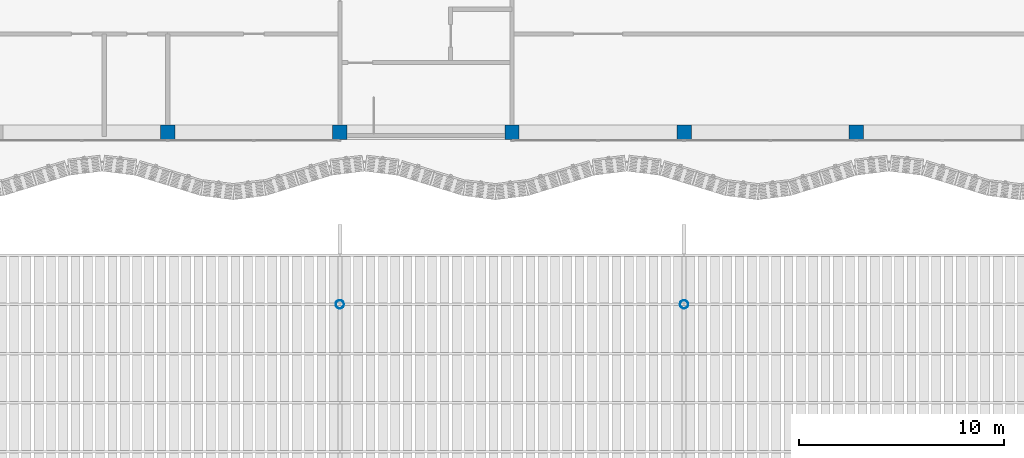
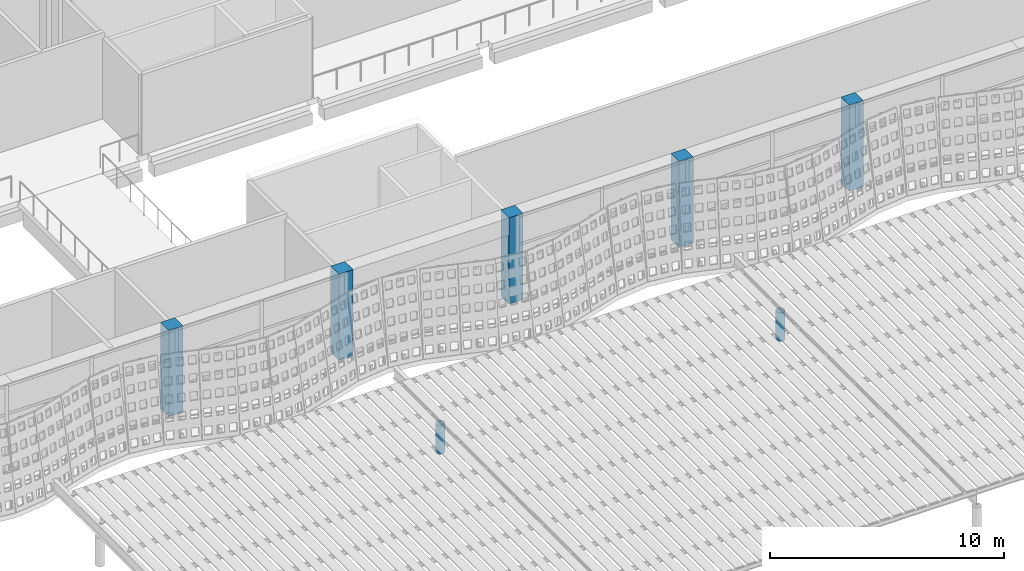
# One storey, part 7 of 162: 7 columns.
"""IFC4 building model written with IfcOpenShell, lengths in metres."""

import ifcopenshell
import ifcopenshell.guid

model = None  # the IFC model being written
_history = None  # IfcOwnerHistory: only IFC2X3 demands one
_inside = {}  # id of a spatial element -> (the spatial element, [elements in it])
_under = {}  # id of a project, library or spatial element -> (it, [spatial elements below it])
_declared = {}  # id of a project -> (the project, [libraries it declares])
_typed = {}  # id of a type object -> (the type object, [elements of that type])
_made_of = {}  # id of a material, layer set ... -> (it, [elements and type objects made of it])


def new_model(schema):
    """Start an empty IFC model of exactly this schema.

    Asked for "IFC4X3", IfcOpenShell would pick the latest addendum, in which some entities
    have other attributes; the version numbers below select the first issue.
    IFC2X3 requires an IfcOwnerHistory on every rooted entity: one is made here for all.
    """
    global model, _history
    if schema == "IFC4X3":
        model = ifcopenshell.file(schema_version=(4, 3, 0, 0))
    else:
        model = ifcopenshell.file(schema=schema)
    _inside.clear()
    _under.clear()
    _declared.clear()
    _typed.clear()
    _made_of.clear()
    _history = None
    if model.schema == "IFC2X3":
        org = make("IfcOrganization", Name="unknown")
        user = make(
            "IfcPersonAndOrganization",
            ThePerson=make("IfcPerson", FamilyName="unknown"),
            TheOrganization=org,
        )
        app = make(
            "IfcApplication",
            ApplicationDeveloper=org,
            Version="unknown",
            ApplicationFullName="unknown",
            ApplicationIdentifier="unknown",
        )
        _history = make(
            "IfcOwnerHistory",
            OwningUser=user,
            OwningApplication=app,
            ChangeAction="ADDED",
            CreationDate=0,
        )
    return model


def make(cls, **values):
    """One entity of the class cls with the attributes given. An attribute that is None is left unset."""
    return model.create_entity(
        cls, **{name: value for name, value in values.items() if value is not None}
    )


def rooted(cls, **values):
    """An entity with a GlobalId (a new one), such as an element, a storey or a relation."""
    return make(cls, GlobalId=ifcopenshell.guid.new(), OwnerHistory=_history, **values)


def si_unit(unit_type, name, prefix=None):
    """IfcSIUnit, for example si_unit("LENGTHUNIT", "METRE", prefix="MILLI")."""
    return make("IfcSIUnit", UnitType=unit_type, Prefix=prefix, Name=name)


def assignment(units):
    """IfcUnitAssignment: the units of a project."""
    return None if units is None else make("IfcUnitAssignment", Units=units)


def point(xyz):
    """IfcCartesianPoint."""
    return None if xyz is None else make("IfcCartesianPoint", Coordinates=xyz)


def direction(xyz):
    """IfcDirection."""
    return None if xyz is None else make("IfcDirection", DirectionRatios=xyz)


def frame(location, z_axis=None, x_axis=None):
    """IfcAxis2Placement3D, a coordinate frame: its origin and axes. An axis left out is left unset."""
    return make(
        "IfcAxis2Placement3D",
        Location=point(location),
        Axis=direction(z_axis),
        RefDirection=direction(x_axis),
    )


def frame_2d(location, x_axis=None):
    """IfcAxis2Placement2D, a coordinate frame in the plane: its origin and x axis."""
    return make(
        "IfcAxis2Placement2D", Location=point(location), RefDirection=direction(x_axis)
    )


def origin():
    """The frame at (0, 0, 0) with its axes left unset."""
    return frame((0.0, 0.0, 0.0))


def origin_2d():
    """The frame at (0, 0) in the plane with its x axis left unset."""
    return frame_2d((0.0, 0.0))


def place(relative_to, where):
    """IfcLocalPlacement: puts the frame where relative to a parent placement (None: the world)."""
    return make(
        "IfcLocalPlacement", PlacementRelTo=relative_to, RelativePlacement=where
    )


def context(
    kind, dimensions, precision=None, world=None, true_north=None, identifier=None
):
    """IfcGeometricRepresentationContext, for example the 3D "Model" context."""
    return make(
        "IfcGeometricRepresentationContext",
        ContextIdentifier=identifier,
        ContextType=kind,
        CoordinateSpaceDimension=dimensions,
        Precision=precision,
        WorldCoordinateSystem=world,
        TrueNorth=true_north,
    )


def subcontext(parent, identifier, kind, view, scale=None):
    """IfcGeometricRepresentationSubContext, for example "Body" below "Model"."""
    return make(
        "IfcGeometricRepresentationSubContext",
        ContextIdentifier=identifier,
        ContextType=kind,
        ParentContext=parent,
        TargetScale=scale,
        TargetView=view,
    )


def project(units=None, contexts=None):
    """IfcProject with its units and contexts."""
    return rooted(
        "IfcProject",
        Name="project",
        RepresentationContexts=contexts,
        UnitsInContext=assignment(units),
    )


def spatial(cls, under=None, at=None, **own):
    """A site, building, storey or space (cls), placed at a placement, below another one or the project."""
    s = rooted(cls, ObjectPlacement=at, **own)
    if under is not None:
        _under.setdefault(under.id(), (under, []))[1].append(s)
    return s


def profile(cls, at=None, kind="AREA", **sizes):
    """A parametric profile (cls). Its sizes go by their IFC names, for example OverallWidth=200.0."""
    return make(cls, ProfileType=kind, Position=at, **sizes)


def rectangle(**sizes):
    """IfcRectangleProfileDef."""
    return profile("IfcRectangleProfileDef", **sizes)


def hollow_circle(**sizes):
    """IfcCircleHollowProfileDef."""
    return profile("IfcCircleHollowProfileDef", **sizes)


def extrude(swept, where, along, depth):
    """IfcExtrudedAreaSolid: the profile swept, set in the frame where, extruded along a direction by depth."""
    return make(
        "IfcExtrudedAreaSolid",
        SweptArea=swept,
        Position=where,
        ExtrudedDirection=direction(along),
        Depth=depth,
    )


def shape(context_of_items, identifier, shape_type, items):
    """IfcShapeRepresentation: the items that make up one representation, for example the "Body"."""
    return make(
        "IfcShapeRepresentation",
        ContextOfItems=context_of_items,
        RepresentationIdentifier=identifier,
        RepresentationType=shape_type,
        Items=items,
    )


def material(Name=None, Category=None):
    """IfcMaterial."""
    return make("IfcMaterial", Name=Name, Category=Category)


def material_profile(
    of_material, cross_section, Name=None, Category=None, Priority=None
):
    """IfcMaterialProfile: a cross section and its material."""
    return make(
        "IfcMaterialProfile",
        Name=Name,
        Material=of_material,
        Profile=cross_section,
        Priority=Priority,
        Category=Category,
    )


def profile_set(profiles, Name=None, composite=None):
    """IfcMaterialProfileSet."""
    return make(
        "IfcMaterialProfileSet",
        Name=Name,
        MaterialProfiles=profiles,
        CompositeProfile=composite,
    )


def made_of(thing, what):
    """Note that an element or type object is made of a material, layer set ...; save() writes the relation."""
    if what is not None:
        _made_of.setdefault(what.id(), (what, []))[1].append(thing)
    return thing


def type_object(cls, material=None, **own):
    """A type object (cls), such as IfcWallType, which elements share."""
    return made_of(rooted(cls, **own), material)


def element(
    cls,
    number,
    at=None,
    inside=None,
    cuts=None,
    type_object=None,
    material=None,
    context=None,
    identifier="Body",
    shape_type=None,
    held_by="IfcProductDefinitionShape",
    body=None,
    shapes=None,
    **own,
):
    """One element of the class cls, such as IfcWall. Its Tag is "e" and its number.

    at: its placement. inside: the storey or other place that contains it. cuts: it is an
    opening in that element (IfcRelVoidsElement). A single representation is given by context,
    identifier, shape_type and body (its items); several are given by shapes. held_by: the class
    of the entity that holds the representations. save() writes the other relations.
    """
    e = rooted(cls, Tag="e%d" % number, ObjectPlacement=at, **own)
    if body is not None:
        shapes = [shape(context, identifier, shape_type, body)]
    if shapes is not None:
        e.Representation = make(held_by, Representations=shapes)
    if inside is not None:
        _inside.setdefault(inside.id(), (inside, []))[1].append(e)
    if cuts is not None:
        rooted(
            "IfcRelVoidsElement", RelatingBuildingElement=cuts, RelatedOpeningElement=e
        )
    if type_object is not None:
        _typed.setdefault(type_object.id(), (type_object, []))[1].append(e)
    return made_of(e, material)


def aggregate(whole, parts):
    """IfcRelAggregates: a whole, such as a stair, and the parts it consists of."""
    return rooted("IfcRelAggregates", RelatingObject=whole, RelatedObjects=parts)


def save(model, path):
    """Write the relations noted so far, then the file.

    IfcRelAggregates (storeys below a building ...), IfcRelContainedInSpatialStructure (elements
    in a storey), IfcRelDefinesByType, IfcRelAssociatesMaterial and IfcRelDeclares: one each for
    every whole, place, type object, material and project.
    """
    for whole, parts in _under.values():
        aggregate(whole, parts)
    for where, things in _inside.values():
        rooted(
            "IfcRelContainedInSpatialStructure",
            RelatedElements=things,
            RelatingStructure=where,
        )
    for kind, things in _typed.values():
        rooted("IfcRelDefinesByType", RelatedObjects=things, RelatingType=kind)
    for what, things in _made_of.values():
        rooted("IfcRelAssociatesMaterial", RelatedObjects=things, RelatingMaterial=what)
    for by, libraries in _declared.values():
        rooted("IfcRelDeclares", RelatingContext=by, RelatedDefinitions=libraries)
    model.write(path)


model = new_model("IFC4")

# Units and contexts
model_context = context("Model", 3, precision=1e-05, world=origin(), true_north=direction((0.0, 1.0)))
body_context = subcontext(model_context, "Body", "Model", "MODEL_VIEW")
ifc_project = project(units=[si_unit("LENGTHUNIT", "METRE"), si_unit("AREAUNIT", "SQUARE_METRE"), si_unit("VOLUMEUNIT", "CUBIC_METRE"), si_unit("PLANEANGLEUNIT", "RADIAN"), si_unit("MASSUNIT", "GRAM", prefix="KILO")], contexts=[model_context])

# Site, building, storey
site_placement = place(None, origin())
site = spatial("IfcSite", under=ifc_project, at=site_placement, CompositionType="ELEMENT")
building_placement = place(site_placement, origin())
building = spatial("IfcBuilding", under=site, at=building_placement, Name="Rain Tree Exposition and Congress Centre", CompositionType="ELEMENT")
storey_placement = place(building_placement, frame((0.0, 0.0, 6.0)))
storey = spatial("IfcBuildingStorey", under=building, at=storey_placement, Name="L01", CompositionType="ELEMENT", Elevation=6.0)

# Columns
ifc_material_1 = material(Name="Precast concrete C50/60", Category="concrete")
ifc_material_profile_1 = material_profile(ifc_material_1, rectangle(XDim=0.699951171875, YDim=0.699951171875, at=origin_2d()), Name="RC 700x700")
ifc_profile_set_1 = profile_set([ifc_material_profile_1], Name="Precast concrete C50/60")
column_type_1 = type_object("IfcColumnType", Name="Precast column 700x700", PredefinedType="COLUMN", material=ifc_profile_set_1)
for number, where, z_axis, x_axis, name in (
    (1, (67.199951171875, 75.60009765625, 0.0), (0.0, 0.0, 1.0), (1.0, 0.0, 0.0), "Concourse column L01 A9"),
    (2, (75.60009765625, 75.60009765625, 0.0), (0.0, 0.0, 1.0), (1.0, 0.0, 0.0), "Concourse column L01 A10"),
    (3, (84.0, 75.60009765625, 0.0), (0.0, 0.0, 1.0), (1.0, 0.0, 0.0), "Concourse column L01 A11"),
    (4, (92.39990234375, 75.60009765625, 0.0), (0.0, 0.0, 1.0), (1.0, 0.0, 0.0), "Concourse column L01 A12"),
    (5, (100.800048828125, 75.60009765625, 0.0), (0.0, 0.0, 1.0), (1.0, 0.0, 0.0), "Concourse column L01 A13"),
):
    element("IfcColumn", number, at=place(storey_placement, frame(where, z_axis=z_axis, x_axis=x_axis)), inside=storey, type_object=column_type_1, Name=name, PredefinedType="COLUMN", context=body_context, shape_type="SweptSolid", body=[
        extrude(rectangle(XDim=0.699951171875, YDim=0.699951171875, at=origin_2d()), origin(), (0.0, 0.0, 1.0), 4.5),
    ])
ifc_material_2 = material(Name="Steel S355J2H", Category="steel")
ifc_material_profile_2 = material_profile(ifc_material_2, hollow_circle(Radius=0.203125, WallThickness=0.009033203125, at=origin_2d()), Name="CHS 406.4x9")
ifc_profile_set_2 = profile_set([ifc_material_profile_2], Name="Steel S355J2H")
column_type_2 = type_object("IfcColumnType", Name="Steel column CHS 406.4x9", PredefinedType="COLUMN", material=ifc_profile_set_2)
for number, where, z_axis, x_axis, name in (
    (6, (75.60009765625, 67.199951171875, 0.0), (0.0, 0.0, 1.0), (1.0, 0.0, 0.0), "Rain tree column 4"),
    (7, (92.39990234375, 67.199951171875, 0.0), (0.0, 0.0, 1.0), (1.0, 0.0, 0.0), "Rain tree column 6"),
):
    element("IfcColumn", number, at=place(storey_placement, frame(where, z_axis=z_axis, x_axis=x_axis)), inside=storey, type_object=column_type_2, Name=name, PredefinedType="COLUMN", context=body_context, shape_type="SweptSolid", body=[
        extrude(hollow_circle(Radius=0.203125, WallThickness=0.009033203125, at=origin_2d()), origin(), (0.0, 0.0, 1.0), 1.5),
    ])

save(model, "model.ifc")
